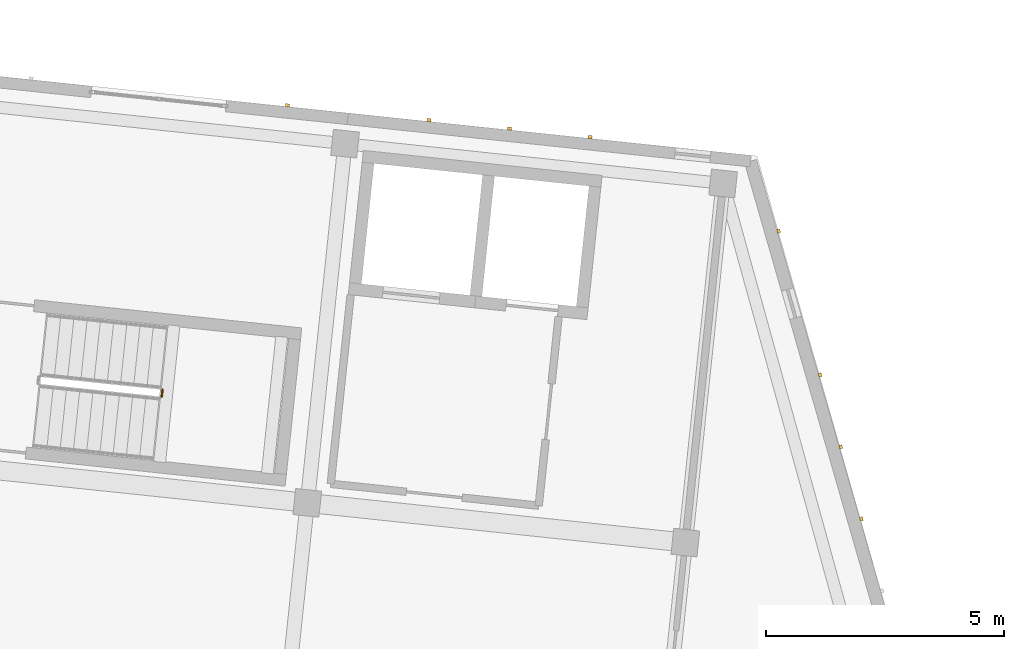
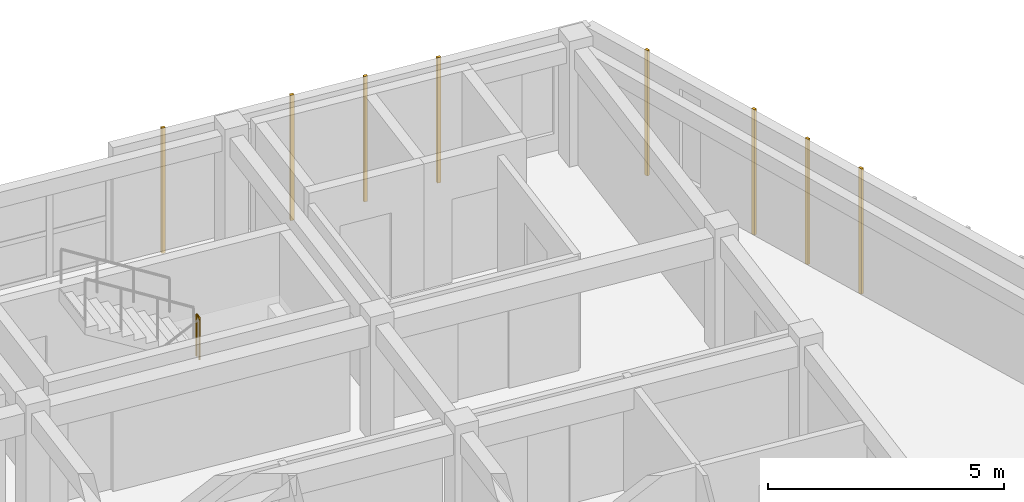
# One storey, part 125 of 127: 8 coverings, 1 railing.
"""IFC4 building model written with IfcOpenShell, lengths in metres."""

from ifc_helpers import new_model, si_unit, direction, frame, origin, origin_2d, place, context, subcontext, project, spatial, rectangle, circle, extrude, material, layer, layer_set, type_object, element, save


model = new_model("IFC4")

# Units and contexts
model_context = context("Model", 3, precision=1e-05, world=origin(), true_north=direction((0.0, 1.0)))
body_context = subcontext(model_context, "Body", "Model", "MODEL_VIEW")
ifc_project = project(units=[si_unit("LENGTHUNIT", "METRE"), si_unit("AREAUNIT", "SQUARE_METRE"), si_unit("VOLUMEUNIT", "CUBIC_METRE"), si_unit("PLANEANGLEUNIT", "RADIAN"), si_unit("MASSUNIT", "GRAM", prefix="KILO")], contexts=[model_context])

# Site, building, storey
site_placement = place(None, origin())
site = spatial("IfcSite", under=ifc_project, at=site_placement, CompositionType="ELEMENT")
building_placement = place(site_placement, origin())
building = spatial("IfcBuilding", under=site, at=building_placement, Name="Kestramere Prow Commons", CompositionType="ELEMENT")
storey_placement = place(building_placement, frame((0.0, 0.0, 8.39990234375)))
storey = spatial("IfcBuildingStorey", under=building, at=storey_placement, Name="L02", CompositionType="ELEMENT", Elevation=8.39990234375)

# Coverings
ifc_material_1 = material(Name="Weathered Zinc-Titanium Standing-Seam Cladding")
ifc_layer = layer(ifc_material_1, 0.074951171875)
ifc_layer_set = layer_set([ifc_layer], Name="Weathered Zinc-Titanium Standing-Seam Cladding")
covering_type = type_object("IfcCoveringType", Name="COV-CLAD-SEAM", PredefinedType="CLADDING", material=ifc_layer_set)
for number, where, z_axis, x_axis, name in (
    (1, (150.6201171875, 110.919921875, -0.25), (0.0, 0.0, 1.0), (0.994521895368, -0.104528463268, 0.0), "EW-B-L02-NP-4-R Standing-Seam Rib 1"),
    (2, (153.59619140625, 110.607177734375, -0.25), (0.0, 0.0, 1.0), (0.994521895368, -0.104528463268, 0.0), "EW-B-L02-N-5 Standing-Seam Rib 1"),
    (3, (155.291748046875, 110.428955078125, -0.25), (0.0, 0.0, 1.0), (0.994521895368, -0.104528463268, 0.0), "EW-B-L02-N-5 Standing-Seam Rib 2"),
    (4, (156.987548828125, 110.250732421875, -0.25), (0.0, 0.0, 1.0), (0.994521895368, -0.104528463268, 0.0), "EW-B-L02-N-5 Standing-Seam Rib 3"),
    (5, (160.954345703125, 108.273193359375, -0.25), (0.0, 0.0, 1.0), (0.27631844013, -0.961066136977, 0.0), "EW-B-L02-PRW-N Standing-Seam Rib 1"),
    (6, (161.824951171875, 105.24462890625, -0.25), (0.0, 0.0, 1.0), (0.27631844013, -0.961066136977, 0.0), "EW-B-L02-PRW-N Standing-Seam Rib 3"),
    (7, (162.260498046875, 103.73046875, -0.25), (0.0, 0.0, 1.0), (0.27631844013, -0.961066136977, 0.0), "EW-B-L02-PRW-N Standing-Seam Rib 4"),
    (8, (162.69580078125, 102.21630859375, -0.25), (0.0, 0.0, 1.0), (0.27631844013, -0.961066136977, 0.0), "EW-B-L02-PRW-N Standing-Seam Rib 5"),
):
    element("IfcCovering", number, at=place(storey_placement, frame(where, z_axis=z_axis, x_axis=x_axis)), inside=storey, type_object=covering_type, Name=name, PredefinedType="CLADDING", context=body_context, shape_type="SweptSolid", body=[
        extrude(rectangle(XDim=0.0849609375, YDim=0.06494140625, at=origin_2d()), origin(), (0.0, 0.0, 1.0), 3.25),
    ])

# Railing
ifc_material_2 = material(Name="Galvanised Steel S275JR", Category="steel")
railing_type = type_object("IfcRailingType", Name="RL-ST-GR-1100", PredefinedType="GUARDRAIL", material=ifc_material_2)
railing_placement = place(storey_placement, frame((147.9716796875, 104.78564453125, 1.625)))
element("IfcRailing", 9, at=railing_placement, inside=storey, type_object=railing_type, Name="L02 ST-B2 stair guard 2", PredefinedType="GUARDRAIL", context=body_context, shape_type="SweptSolid", body=[
    extrude(circle(Radius=0.02392578125, at=origin_2d()), frame((0.0, 0.0, 1.076171875), z_axis=(0.105786054594, 0.994388913179, 0.0), x_axis=(-0.994388913179, 0.105786054594, 0.0)), (0.0, 0.0, 1.0), 0.14990234375),
    extrude(circle(Radius=0.02099609375, at=origin_2d()), origin(), (0.0, 0.0, 1.0), 1.052001953125),
    extrude(circle(Radius=0.02099609375, at=origin_2d()), frame((0.015869140625, 0.149169921875, 0.0)), (0.0, 0.0, 1.0), 1.052001953125),
])

save(model, "model.ifc")
